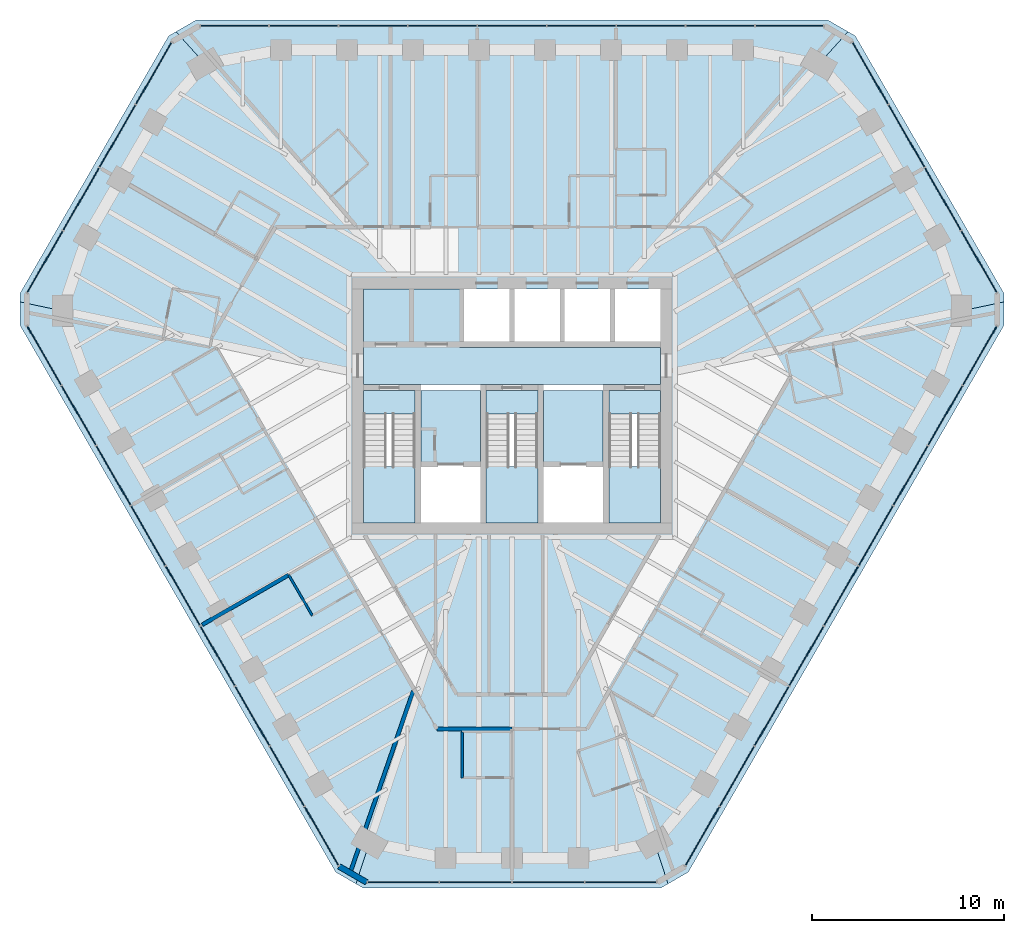
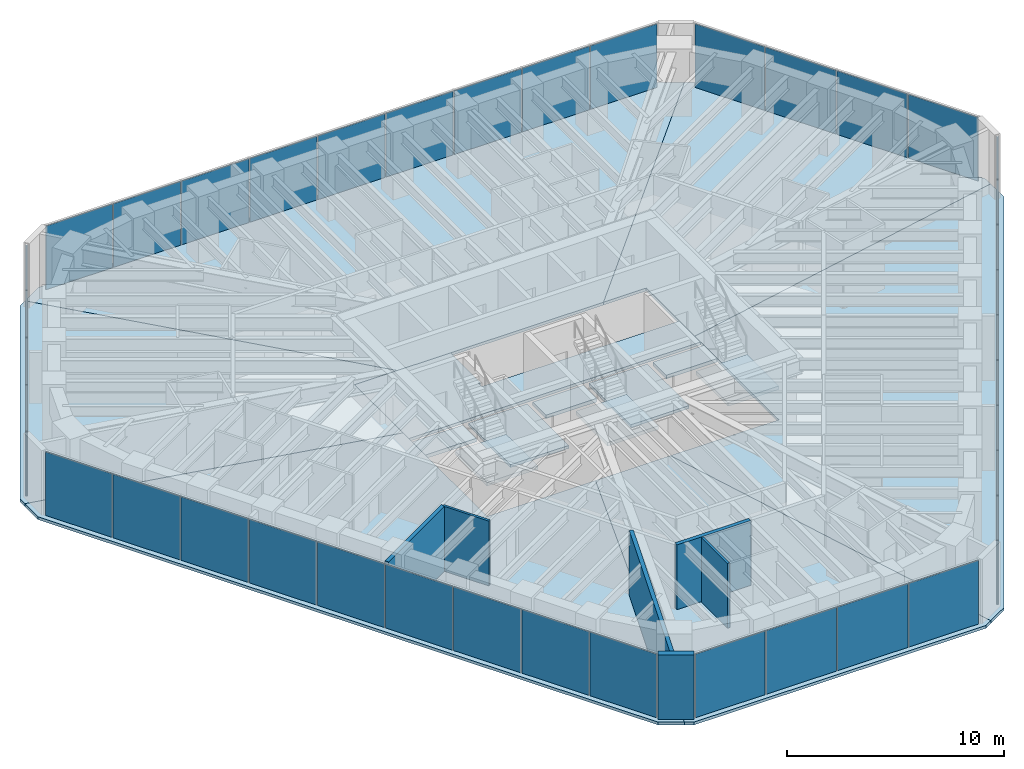
# One storey, part 8 of 14: 39 plates, 15 slabs, 6 walls, 9 elements without a shape of their own.
"""IFC4 building model written with IfcOpenShell, lengths in metres."""

from ifc_helpers import new_model, si_unit, direction, frame, frame_2d, origin, origin_2d, place, context, subcontext, project, spatial, polyline, rectangle, outline, extrude, material, layer, layer_set, type_object, element, aggregate, save


model = new_model("IFC4")

# Units and contexts
model_context = context("Model", 3, precision=1e-05, world=origin(), true_north=direction((0.0, 1.0)))
body_context = subcontext(model_context, "Body", "Model", "MODEL_VIEW")
ifc_project = project(units=[si_unit("LENGTHUNIT", "METRE"), si_unit("AREAUNIT", "SQUARE_METRE"), si_unit("VOLUMEUNIT", "CUBIC_METRE"), si_unit("PLANEANGLEUNIT", "RADIAN"), si_unit("MASSUNIT", "GRAM", prefix="KILO")], contexts=[model_context])

# Site, building, storey
site_placement = place(None, origin())
site = spatial("IfcSite", under=ifc_project, at=site_placement, CompositionType="ELEMENT")
building_placement = place(site_placement, origin())
building = spatial("IfcBuilding", under=site, at=building_placement, Name="Sandreach Pilgrim Tower", CompositionType="ELEMENT")
storey_placement = place(building_placement, frame((0.0, 0.0, 287.39990234375)))
storey = spatial("IfcBuildingStorey", under=building, at=storey_placement, Name="L72", CompositionType="ELEMENT", Elevation=287.39990234375)

# Curtain wall, plates
ifc_material_1 = material(Name="Aluminium framed curtain wall", Category="aluminium")
curtain_wall_type = type_object("IfcCurtainWallType", Name="Suite tower curtain wall", PredefinedType="NOTDEFINED", material=ifc_material_1)
curtain_wall_1_placement = place(storey_placement, origin())
curtain_wall_1 = element("IfcCurtainWall", 1, at=curtain_wall_1_placement, inside=storey, type_object=curtain_wall_type, Name="CW-4 L72 N", PredefinedType="NOTDEFINED")
ifc_material_2 = material(Name="Insulating glass unit 16.76 laminated + 24 argon + 16.76 laminated", Category="glass")
ifc_layer_1 = layer(ifc_material_2, 0.05810546875)
ifc_layer_set_1 = layer_set([ifc_layer_1], Name="CW-4 panel")
plate_type = type_object("IfcPlateType", Name="CW-4 panel", PredefinedType="CURTAIN_PANEL", material=ifc_layer_set_1)
plate_1_placement = place(storey_placement, frame((-14.472412109375, 19.826416015625, 0.0), z_axis=(0.0, 0.0, 1.0), x_axis=(1.0, 0.0, 0.0)))
plate_1 = element("IfcPlate", 2, at=plate_1_placement, type_object=plate_type, Name="CW-4 panel 1", PredefinedType="CURTAIN_PANEL", context=body_context, shape_type="SweptSolid", body=[
    extrude(rectangle(XDim=3.531982421875, YDim=0.05810546875, at=origin_2d()), origin(), (0.0, 0.0, 1.0), 3.570068359375),
])
plate_2_placement = place(storey_placement, frame((-10.865478515625, 19.826416015625, 0.0), z_axis=(0.0, 0.0, 1.0), x_axis=(1.0, 0.0, 0.0)))
plate_2 = element("IfcPlate", 3, at=plate_2_placement, type_object=plate_type, Name="CW-4 panel 2", PredefinedType="CURTAIN_PANEL", context=body_context, shape_type="SweptSolid", body=[
    extrude(rectangle(XDim=3.561767578125, YDim=0.05810546875, at=origin_2d()), origin(), (0.0, 0.0, 1.0), 3.570068359375),
])
plate_3_placement = place(storey_placement, frame((-7.24365234375, 19.826416015625, 0.0), z_axis=(0.0, 0.0, 1.0), x_axis=(1.0, 0.0, 0.0)))
plate_3 = element("IfcPlate", 4, at=plate_3_placement, type_object=plate_type, Name="CW-4 panel 3", PredefinedType="CURTAIN_PANEL", context=body_context, shape_type="SweptSolid", body=[
    extrude(rectangle(XDim=3.561767578125, YDim=0.05810546875, at=origin_2d()), origin(), (0.0, 0.0, 1.0), 3.570068359375),
])
plate_4_placement = place(storey_placement, frame((-3.621826171875, 19.826416015625, 0.0), z_axis=(0.0, 0.0, 1.0), x_axis=(1.0, 0.0, 0.0)))
plate_4 = element("IfcPlate", 5, at=plate_4_placement, type_object=plate_type, Name="CW-4 panel 4", PredefinedType="CURTAIN_PANEL", context=body_context, shape_type="SweptSolid", body=[
    extrude(rectangle(XDim=3.561767578125, YDim=0.05810546875, at=origin_2d()), origin(), (0.0, 0.0, 1.0), 3.570068359375),
])
plate_5_placement = place(storey_placement, frame((0.0, 19.826416015625, 0.0), z_axis=(0.0, 0.0, 1.0), x_axis=(1.0, 0.0, 0.0)))
plate_5 = element("IfcPlate", 6, at=plate_5_placement, type_object=plate_type, Name="CW-4 panel 5", PredefinedType="CURTAIN_PANEL", context=body_context, shape_type="SweptSolid", body=[
    extrude(rectangle(XDim=3.561767578125, YDim=0.05810546875, at=origin_2d()), origin(), (0.0, 0.0, 1.0), 3.570068359375),
])
plate_6_placement = place(storey_placement, frame((3.621826171875, 19.826416015625, 0.0), z_axis=(0.0, 0.0, 1.0), x_axis=(1.0, 0.0, 0.0)))
plate_6 = element("IfcPlate", 7, at=plate_6_placement, type_object=plate_type, Name="CW-4 panel 6", PredefinedType="CURTAIN_PANEL", context=body_context, shape_type="SweptSolid", body=[
    extrude(rectangle(XDim=3.561767578125, YDim=0.05810546875, at=origin_2d()), origin(), (0.0, 0.0, 1.0), 3.570068359375),
])
plate_7_placement = place(storey_placement, frame((7.24365234375, 19.826416015625, 0.0), z_axis=(0.0, 0.0, 1.0), x_axis=(1.0, 0.0, 0.0)))
plate_7 = element("IfcPlate", 8, at=plate_7_placement, type_object=plate_type, Name="CW-4 panel 7", PredefinedType="CURTAIN_PANEL", context=body_context, shape_type="SweptSolid", body=[
    extrude(rectangle(XDim=3.561767578125, YDim=0.05810546875, at=origin_2d()), origin(), (0.0, 0.0, 1.0), 3.570068359375),
])
plate_8_placement = place(storey_placement, frame((10.865478515625, 19.826416015625, 0.0), z_axis=(0.0, 0.0, 1.0), x_axis=(1.0, 0.0, 0.0)))
plate_8 = element("IfcPlate", 9, at=plate_8_placement, type_object=plate_type, Name="CW-4 panel 8", PredefinedType="CURTAIN_PANEL", context=body_context, shape_type="SweptSolid", body=[
    extrude(rectangle(XDim=3.561767578125, YDim=0.05810546875, at=origin_2d()), origin(), (0.0, 0.0, 1.0), 3.570068359375),
])
plate_9_placement = place(storey_placement, frame((14.472412109375, 19.826416015625, 0.0), z_axis=(0.0, 0.0, 1.0), x_axis=(1.0, 0.0, 0.0)))
plate_9 = element("IfcPlate", 10, at=plate_9_placement, type_object=plate_type, Name="CW-4 panel 9", PredefinedType="CURTAIN_PANEL", context=body_context, shape_type="SweptSolid", body=[
    extrude(rectangle(XDim=3.531982421875, YDim=0.05810546875, at=origin_2d()), origin(), (0.0, 0.0, 1.0), 3.570068359375),
])
aggregate(curtain_wall_1, [plate_1, plate_2, plate_3, plate_4, plate_5, plate_6, plate_7, plate_8, plate_9])

curtain_wall_2_placement = place(storey_placement, origin())
curtain_wall_2 = element("IfcCurtainWall", 11, at=curtain_wall_2_placement, inside=storey, type_object=curtain_wall_type, Name="CW-4 L72 NE", PredefinedType="NOTDEFINED")
plate_10_placement = place(storey_placement, frame((18.69140625, 17.341552734375, 0.0), z_axis=(0.0, 0.0, 1.0), x_axis=(0.5, -0.866025403784, 0.0)))
plate_10 = element("IfcPlate", 12, at=plate_10_placement, type_object=plate_type, Name="CW-4 panel 1", PredefinedType="CURTAIN_PANEL", context=body_context, shape_type="SweptSolid", body=[
    extrude(rectangle(XDim=3.70166015625, YDim=0.05810546875, at=origin_2d()), origin(), (0.0, 0.0, 1.0), 3.570068359375),
])
plate_11_placement = place(storey_placement, frame((20.579833984375, 14.07080078125, 0.0), z_axis=(0.0, 0.0, 1.0), x_axis=(0.5, -0.866025403784, 0.0)))
plate_11 = element("IfcPlate", 13, at=plate_11_placement, type_object=plate_type, Name="CW-4 panel 2", PredefinedType="CURTAIN_PANEL", context=body_context, shape_type="SweptSolid", body=[
    extrude(rectangle(XDim=3.731689453125, YDim=0.05810546875, at=origin_2d()), origin(), (0.0, 0.0, 1.0), 3.570068359375),
])
plate_12_placement = place(storey_placement, frame((22.4755859375, 10.787109375, 0.0), z_axis=(0.0, 0.0, 1.0), x_axis=(0.5, -0.866025403784, 0.0)))
plate_12 = element("IfcPlate", 14, at=plate_12_placement, type_object=plate_type, Name="CW-4 panel 3", PredefinedType="CURTAIN_PANEL", context=body_context, shape_type="SweptSolid", body=[
    extrude(rectangle(XDim=3.731689453125, YDim=0.05810546875, at=origin_2d()), origin(), (0.0, 0.0, 1.0), 3.570068359375),
])
plate_13_placement = place(storey_placement, frame((24.364013671875, 7.516357421875, 0.0), z_axis=(0.0, 0.0, 1.0), x_axis=(0.5, -0.866025403784, 0.0)))
plate_13 = element("IfcPlate", 15, at=plate_13_placement, type_object=plate_type, Name="CW-4 panel 4", PredefinedType="CURTAIN_PANEL", context=body_context, shape_type="SweptSolid", body=[
    extrude(rectangle(XDim=3.70166015625, YDim=0.05810546875, at=origin_2d()), origin(), (0.0, 0.0, 1.0), 3.570068359375),
])
aggregate(curtain_wall_2, [plate_10, plate_11, plate_12, plate_13])

curtain_wall_3_placement = place(storey_placement, origin())
curtain_wall_3 = element("IfcCurtainWall", 16, at=curtain_wall_3_placement, inside=storey, type_object=curtain_wall_type, Name="CW-4 L72 SE", PredefinedType="NOTDEFINED")
plate_14_placement = place(storey_placement, frame((24.406494140625, 2.620361328125, 0.0), z_axis=(0.0, 0.0, 1.0), x_axis=(-0.5, -0.866025403784, 0.0)))
plate_14 = element("IfcPlate", 17, at=plate_14_placement, type_object=plate_type, Name="CW-4 panel 1", PredefinedType="CURTAIN_PANEL", context=body_context, shape_type="SweptSolid", body=[
    extrude(rectangle(XDim=3.531982421875, YDim=0.05810546875, at=origin_2d()), origin(), (0.0, 0.0, 1.0), 3.570068359375),
])
plate_15_placement = place(storey_placement, frame((22.60302734375, -0.50341796875, 0.0), z_axis=(0.0, 0.0, 1.0), x_axis=(-0.5, -0.866025403784, 0.0)))
plate_15 = element("IfcPlate", 18, at=plate_15_placement, type_object=plate_type, Name="CW-4 panel 2", PredefinedType="CURTAIN_PANEL", context=body_context, shape_type="SweptSolid", body=[
    extrude(rectangle(XDim=3.561767578125, YDim=0.05810546875, at=origin_2d()), origin(), (0.0, 0.0, 1.0), 3.570068359375),
])
plate_16_placement = place(storey_placement, frame((20.7919921875, -3.639892578125, 0.0), z_axis=(0.0, 0.0, 1.0), x_axis=(-0.5, -0.866025403784, 0.0)))
plate_16 = element("IfcPlate", 19, at=plate_16_placement, type_object=plate_type, Name="CW-4 panel 3", PredefinedType="CURTAIN_PANEL", context=body_context, shape_type="SweptSolid", body=[
    extrude(rectangle(XDim=3.561767578125, YDim=0.05810546875, at=origin_2d()), origin(), (0.0, 0.0, 1.0), 3.570068359375),
])
plate_17_placement = place(storey_placement, frame((18.981201171875, -6.776611328125, 0.0), z_axis=(0.0, 0.0, 1.0), x_axis=(-0.5, -0.866025403784, 0.0)))
plate_17 = element("IfcPlate", 20, at=plate_17_placement, type_object=plate_type, Name="CW-4 panel 4", PredefinedType="CURTAIN_PANEL", context=body_context, shape_type="SweptSolid", body=[
    extrude(rectangle(XDim=3.561767578125, YDim=0.05810546875, at=origin_2d()), origin(), (0.0, 0.0, 1.0), 3.570068359375),
])
plate_18_placement = place(storey_placement, frame((17.170166015625, -9.913330078125, 0.0), z_axis=(0.0, 0.0, 1.0), x_axis=(-0.5, -0.866025403784, 0.0)))
plate_18 = element("IfcPlate", 21, at=plate_18_placement, type_object=plate_type, Name="CW-4 panel 5", PredefinedType="CURTAIN_PANEL", context=body_context, shape_type="SweptSolid", body=[
    extrude(rectangle(XDim=3.561767578125, YDim=0.05810546875, at=origin_2d()), origin(), (0.0, 0.0, 1.0), 3.570068359375),
])
plate_19_placement = place(storey_placement, frame((15.359375, -13.0498046875, 0.0), z_axis=(0.0, 0.0, 1.0), x_axis=(-0.5, -0.866025403784, 0.0)))
plate_19 = element("IfcPlate", 22, at=plate_19_placement, type_object=plate_type, Name="CW-4 panel 6", PredefinedType="CURTAIN_PANEL", context=body_context, shape_type="SweptSolid", body=[
    extrude(rectangle(XDim=3.561767578125, YDim=0.05810546875, at=origin_2d()), origin(), (0.0, 0.0, 1.0), 3.570068359375),
])
plate_20_placement = place(storey_placement, frame((13.54833984375, -16.1865234375, 0.0), z_axis=(0.0, 0.0, 1.0), x_axis=(-0.5, -0.866025403784, 0.0)))
plate_20 = element("IfcPlate", 23, at=plate_20_placement, type_object=plate_type, Name="CW-4 panel 7", PredefinedType="CURTAIN_PANEL", context=body_context, shape_type="SweptSolid", body=[
    extrude(rectangle(XDim=3.561767578125, YDim=0.05810546875, at=origin_2d()), origin(), (0.0, 0.0, 1.0), 3.570068359375),
])
plate_21_placement = place(storey_placement, frame((11.7373046875, -19.322998046875, 0.0), z_axis=(0.0, 0.0, 1.0), x_axis=(-0.5, -0.866025403784, 0.0)))
plate_21 = element("IfcPlate", 24, at=plate_21_placement, type_object=plate_type, Name="CW-4 panel 8", PredefinedType="CURTAIN_PANEL", context=body_context, shape_type="SweptSolid", body=[
    extrude(rectangle(XDim=3.561767578125, YDim=0.05810546875, at=origin_2d()), origin(), (0.0, 0.0, 1.0), 3.570068359375),
])
plate_22_placement = place(storey_placement, frame((9.93408203125, -22.44677734375, 0.0), z_axis=(0.0, 0.0, 1.0), x_axis=(-0.5, -0.866025403784, 0.0)))
plate_22 = element("IfcPlate", 25, at=plate_22_placement, type_object=plate_type, Name="CW-4 panel 9", PredefinedType="CURTAIN_PANEL", context=body_context, shape_type="SweptSolid", body=[
    extrude(rectangle(XDim=3.531982421875, YDim=0.05810546875, at=origin_2d()), origin(), (0.0, 0.0, 1.0), 3.570068359375),
])
aggregate(curtain_wall_3, [plate_14, plate_15, plate_16, plate_17, plate_18, plate_19, plate_20, plate_21, plate_22])

curtain_wall_4_placement = place(storey_placement, origin())
curtain_wall_4 = element("IfcCurtainWall", 26, at=curtain_wall_4_placement, inside=storey, type_object=curtain_wall_type, Name="CW-4 L72 S", PredefinedType="NOTDEFINED")
plate_23_placement = place(storey_placement, frame((5.672607421875, -24.858154296875, 0.0), z_axis=(0.0, 0.0, 1.0), x_axis=(-1.0, 0.0, 0.0)))
plate_23 = element("IfcPlate", 27, at=plate_23_placement, type_object=plate_type, Name="CW-4 panel 1", PredefinedType="CURTAIN_PANEL", context=body_context, shape_type="SweptSolid", body=[
    extrude(rectangle(XDim=3.70166015625, YDim=0.05810546875, at=origin_2d()), origin(), (0.0, 0.0, 1.0), 3.570068359375),
])
plate_24_placement = place(storey_placement, frame((1.895751953125, -24.858154296875, 0.0), z_axis=(0.0, 0.0, 1.0), x_axis=(-1.0, 0.0, 0.0)))
plate_24 = element("IfcPlate", 28, at=plate_24_placement, type_object=plate_type, Name="CW-4 panel 2", PredefinedType="CURTAIN_PANEL", context=body_context, shape_type="SweptSolid", body=[
    extrude(rectangle(XDim=3.731689453125, YDim=0.05810546875, at=origin_2d()), origin(), (0.0, 0.0, 1.0), 3.570068359375),
])
plate_25_placement = place(storey_placement, frame((-1.895751953125, -24.858154296875, 0.0), z_axis=(0.0, 0.0, 1.0), x_axis=(-1.0, 0.0, 0.0)))
plate_25 = element("IfcPlate", 29, at=plate_25_placement, type_object=plate_type, Name="CW-4 panel 3", PredefinedType="CURTAIN_PANEL", context=body_context, shape_type="SweptSolid", body=[
    extrude(rectangle(XDim=3.731689453125, YDim=0.05810546875, at=origin_2d()), origin(), (0.0, 0.0, 1.0), 3.570068359375),
])
plate_26_placement = place(storey_placement, frame((-5.672607421875, -24.858154296875, 0.0), z_axis=(0.0, 0.0, 1.0), x_axis=(-1.0, 0.0, 0.0)))
plate_26 = element("IfcPlate", 30, at=plate_26_placement, type_object=plate_type, Name="CW-4 panel 4", PredefinedType="CURTAIN_PANEL", context=body_context, shape_type="SweptSolid", body=[
    extrude(rectangle(XDim=3.70166015625, YDim=0.05810546875, at=origin_2d()), origin(), (0.0, 0.0, 1.0), 3.570068359375),
])
aggregate(curtain_wall_4, [plate_23, plate_24, plate_25, plate_26])

curtain_wall_5_placement = place(storey_placement, origin())
curtain_wall_5 = element("IfcCurtainWall", 31, at=curtain_wall_5_placement, inside=storey, type_object=curtain_wall_type, Name="CW-4 L72 SW", PredefinedType="NOTDEFINED")
plate_27_placement = place(storey_placement, frame((-9.93408203125, -22.44677734375, 0.0), z_axis=(0.0, 0.0, 1.0), x_axis=(-0.5, 0.866025403784, 0.0)))
plate_27 = element("IfcPlate", 32, at=plate_27_placement, type_object=plate_type, Name="CW-4 panel 1", PredefinedType="CURTAIN_PANEL", context=body_context, shape_type="SweptSolid", body=[
    extrude(rectangle(XDim=3.531982421875, YDim=0.05810546875, at=origin_2d()), origin(), (0.0, 0.0, 1.0), 3.570068359375),
])
plate_28_placement = place(storey_placement, frame((-11.7373046875, -19.322998046875, 0.0), z_axis=(0.0, 0.0, 1.0), x_axis=(-0.5, 0.866025403784, 0.0)))
plate_28 = element("IfcPlate", 33, at=plate_28_placement, type_object=plate_type, Name="CW-4 panel 2", PredefinedType="CURTAIN_PANEL", context=body_context, shape_type="SweptSolid", body=[
    extrude(rectangle(XDim=3.561767578125, YDim=0.05810546875, at=origin_2d()), origin(), (0.0, 0.0, 1.0), 3.570068359375),
])
plate_29_placement = place(storey_placement, frame((-13.54833984375, -16.1865234375, 0.0), z_axis=(0.0, 0.0, 1.0), x_axis=(-0.5, 0.866025403784, 0.0)))
plate_29 = element("IfcPlate", 34, at=plate_29_placement, type_object=plate_type, Name="CW-4 panel 3", PredefinedType="CURTAIN_PANEL", context=body_context, shape_type="SweptSolid", body=[
    extrude(rectangle(XDim=3.561767578125, YDim=0.05810546875, at=origin_2d()), origin(), (0.0, 0.0, 1.0), 3.570068359375),
])
plate_30_placement = place(storey_placement, frame((-15.359375, -13.0498046875, 0.0), z_axis=(0.0, 0.0, 1.0), x_axis=(-0.5, 0.866025403784, 0.0)))
plate_30 = element("IfcPlate", 35, at=plate_30_placement, type_object=plate_type, Name="CW-4 panel 4", PredefinedType="CURTAIN_PANEL", context=body_context, shape_type="SweptSolid", body=[
    extrude(rectangle(XDim=3.561767578125, YDim=0.05810546875, at=origin_2d()), origin(), (0.0, 0.0, 1.0), 3.570068359375),
])
plate_31_placement = place(storey_placement, frame((-17.170166015625, -9.913330078125, 0.0), z_axis=(0.0, 0.0, 1.0), x_axis=(-0.5, 0.866025403784, 0.0)))
plate_31 = element("IfcPlate", 36, at=plate_31_placement, type_object=plate_type, Name="CW-4 panel 5", PredefinedType="CURTAIN_PANEL", context=body_context, shape_type="SweptSolid", body=[
    extrude(rectangle(XDim=3.561767578125, YDim=0.05810546875, at=origin_2d()), origin(), (0.0, 0.0, 1.0), 3.570068359375),
])
plate_32_placement = place(storey_placement, frame((-18.981201171875, -6.776611328125, 0.0), z_axis=(0.0, 0.0, 1.0), x_axis=(-0.5, 0.866025403784, 0.0)))
plate_32 = element("IfcPlate", 37, at=plate_32_placement, type_object=plate_type, Name="CW-4 panel 6", PredefinedType="CURTAIN_PANEL", context=body_context, shape_type="SweptSolid", body=[
    extrude(rectangle(XDim=3.561767578125, YDim=0.05810546875, at=origin_2d()), origin(), (0.0, 0.0, 1.0), 3.570068359375),
])
plate_33_placement = place(storey_placement, frame((-20.7919921875, -3.639892578125, 0.0), z_axis=(0.0, 0.0, 1.0), x_axis=(-0.5, 0.866025403784, 0.0)))
plate_33 = element("IfcPlate", 38, at=plate_33_placement, type_object=plate_type, Name="CW-4 panel 7", PredefinedType="CURTAIN_PANEL", context=body_context, shape_type="SweptSolid", body=[
    extrude(rectangle(XDim=3.561767578125, YDim=0.05810546875, at=origin_2d()), origin(), (0.0, 0.0, 1.0), 3.570068359375),
])
plate_34_placement = place(storey_placement, frame((-22.60302734375, -0.50341796875, 0.0), z_axis=(0.0, 0.0, 1.0), x_axis=(-0.5, 0.866025403784, 0.0)))
plate_34 = element("IfcPlate", 39, at=plate_34_placement, type_object=plate_type, Name="CW-4 panel 8", PredefinedType="CURTAIN_PANEL", context=body_context, shape_type="SweptSolid", body=[
    extrude(rectangle(XDim=3.561767578125, YDim=0.05810546875, at=origin_2d()), origin(), (0.0, 0.0, 1.0), 3.570068359375),
])
plate_35_placement = place(storey_placement, frame((-24.406494140625, 2.620361328125, 0.0), z_axis=(0.0, 0.0, 1.0), x_axis=(-0.5, 0.866025403784, 0.0)))
plate_35 = element("IfcPlate", 40, at=plate_35_placement, type_object=plate_type, Name="CW-4 panel 9", PredefinedType="CURTAIN_PANEL", context=body_context, shape_type="SweptSolid", body=[
    extrude(rectangle(XDim=3.531982421875, YDim=0.05810546875, at=origin_2d()), origin(), (0.0, 0.0, 1.0), 3.570068359375),
])
aggregate(curtain_wall_5, [plate_27, plate_28, plate_29, plate_30, plate_31, plate_32, plate_33, plate_34, plate_35])

curtain_wall_6_placement = place(storey_placement, origin())
curtain_wall_6 = element("IfcCurtainWall", 41, at=curtain_wall_6_placement, inside=storey, type_object=curtain_wall_type, Name="CW-4 L72 NW", PredefinedType="NOTDEFINED")
plate_36_placement = place(storey_placement, frame((-24.364013671875, 7.516357421875, 0.0), z_axis=(0.0, 0.0, 1.0), x_axis=(0.5, 0.866025403784, 0.0)))
plate_36 = element("IfcPlate", 42, at=plate_36_placement, type_object=plate_type, Name="CW-4 panel 1", PredefinedType="CURTAIN_PANEL", context=body_context, shape_type="SweptSolid", body=[
    extrude(rectangle(XDim=3.70166015625, YDim=0.05810546875, at=origin_2d()), origin(), (0.0, 0.0, 1.0), 3.570068359375),
])
plate_37_placement = place(storey_placement, frame((-22.4755859375, 10.787109375, 0.0), z_axis=(0.0, 0.0, 1.0), x_axis=(0.5, 0.866025403784, 0.0)))
plate_37 = element("IfcPlate", 43, at=plate_37_placement, type_object=plate_type, Name="CW-4 panel 2", PredefinedType="CURTAIN_PANEL", context=body_context, shape_type="SweptSolid", body=[
    extrude(rectangle(XDim=3.731689453125, YDim=0.05810546875, at=origin_2d()), origin(), (0.0, 0.0, 1.0), 3.570068359375),
])
plate_38_placement = place(storey_placement, frame((-20.579833984375, 14.07080078125, 0.0), z_axis=(0.0, 0.0, 1.0), x_axis=(0.5, 0.866025403784, 0.0)))
plate_38 = element("IfcPlate", 44, at=plate_38_placement, type_object=plate_type, Name="CW-4 panel 3", PredefinedType="CURTAIN_PANEL", context=body_context, shape_type="SweptSolid", body=[
    extrude(rectangle(XDim=3.731689453125, YDim=0.05810546875, at=origin_2d()), origin(), (0.0, 0.0, 1.0), 3.570068359375),
])
plate_39_placement = place(storey_placement, frame((-18.69140625, 17.341552734375, 0.0), z_axis=(0.0, 0.0, 1.0), x_axis=(0.5, 0.866025403784, 0.0)))
plate_39 = element("IfcPlate", 45, at=plate_39_placement, type_object=plate_type, Name="CW-4 panel 4", PredefinedType="CURTAIN_PANEL", context=body_context, shape_type="SweptSolid", body=[
    extrude(rectangle(XDim=3.70166015625, YDim=0.05810546875, at=origin_2d()), origin(), (0.0, 0.0, 1.0), 3.570068359375),
])
aggregate(curtain_wall_6, [plate_36, plate_37, plate_38, plate_39])

# Slabs
ifc_material_3 = material(Name="Concrete 8000 psi", Category="concrete")
ifc_layer_2 = layer(ifc_material_3, 0.159912109375)
ifc_layer_set_2 = layer_set([ifc_layer_2], Name="Composite floor slab 160")
slab_type_1 = type_object("IfcSlabType", Name="Composite floor slab 160", PredefinedType="FLOOR", material=ifc_layer_set_2)
slab_1_placement = place(storey_placement, frame((0.0, 0.0, -0.159912109375)))
element("IfcSlab", 46, at=slab_1_placement, inside=storey, type_object=slab_type_1, Name="Floor slab L72 N sector", PredefinedType="FLOOR", context=body_context, shape_type="SweptSolid", body=[
    extrude(outline(polyline([(-16.4716796875, 20.12646484375), (16.4716796875, 20.12646484375), (17.52587890625, 19.517822265625), (5.477294921875, 6.10009765625), (-5.477294921875, 6.10009765625), (-17.52587890625, 19.517822265625), (-16.4716796875, 20.12646484375)])), origin(), (0.0, 0.0, 1.0), 0.159912109375),
])
slab_2_placement = place(storey_placement, frame((0.0, 0.0, -0.159912109375)))
element("IfcSlab", 47, at=slab_2_placement, inside=storey, type_object=slab_type_1, Name="Floor slab L72 NE sector", PredefinedType="FLOOR", context=body_context, shape_type="SweptSolid", body=[
    extrude(outline(polyline([(17.9091796875, 19.29638671875), (25.665771484375, 5.861572265625), (25.665771484375, 5.4189453125), (7.75, 1.63623046875), (7.75, 6.10009765625), (5.477294921875, 6.10009765625), (17.52587890625, 19.517822265625), (17.9091796875, 19.29638671875)])), origin(), (0.0, 0.0, 1.0), 0.159912109375),
])
slab_3_placement = place(storey_placement, frame((0.0, 0.0, -0.159912109375)))
element("IfcSlab", 48, at=slab_3_placement, inside=storey, type_object=slab_type_1, Name="Floor slab L72 SE sector", PredefinedType="FLOOR", context=body_context, shape_type="SweptSolid", body=[
    extrude(outline(polyline([(25.665771484375, 4.20166015625), (9.194091796875, -24.327880859375), (8.139892578125, -24.936767578125), (1.9912109375, -6.10009765625), (7.75, -6.10009765625), (7.75, 1.63623046875), (25.665771484375, 5.4189453125), (25.665771484375, 4.20166015625)])), origin(), (0.0, 0.0, 1.0), 0.159912109375),
])
slab_4_placement = place(storey_placement, frame((0.0, 0.0, -0.159912109375)))
element("IfcSlab", 49, at=slab_4_placement, inside=storey, type_object=slab_type_1, Name="Floor slab L72 S sector", PredefinedType="FLOOR", context=body_context, shape_type="SweptSolid", body=[
    extrude(outline(polyline([(7.756591796875, -25.157958984375), (-7.756591796875, -25.157958984375), (-8.139892578125, -24.936767578125), (-1.9912109375, -6.10009765625), (1.9912109375, -6.10009765625), (8.139892578125, -24.936767578125), (7.756591796875, -25.157958984375)])), origin(), (0.0, 0.0, 1.0), 0.159912109375),
])
slab_5_placement = place(storey_placement, frame((0.0, 0.0, -0.159912109375)))
element("IfcSlab", 50, at=slab_5_placement, inside=storey, type_object=slab_type_1, Name="Floor slab L72 SW sector", PredefinedType="FLOOR", context=body_context, shape_type="SweptSolid", body=[
    extrude(outline(polyline([(-9.194091796875, -24.327880859375), (-25.665771484375, 4.20166015625), (-25.665771484375, 5.4189453125), (-7.75, 1.63623046875), (-7.75, -6.10009765625), (-1.9912109375, -6.10009765625), (-8.139892578125, -24.936767578125), (-9.194091796875, -24.327880859375)])), origin(), (0.0, 0.0, 1.0), 0.159912109375),
])
slab_6_placement = place(storey_placement, frame((0.0, 0.0, -0.159912109375)))
element("IfcSlab", 51, at=slab_6_placement, inside=storey, type_object=slab_type_1, Name="Floor slab L72 NW sector", PredefinedType="FLOOR", context=body_context, shape_type="SweptSolid", body=[
    extrude(outline(polyline([(-25.665771484375, 5.861572265625), (-17.9091796875, 19.29638671875), (-17.52587890625, 19.517822265625), (-5.477294921875, 6.10009765625), (-7.75, 6.10009765625), (-7.75, 1.63623046875), (-25.665771484375, 5.4189453125), (-25.665771484375, 5.861572265625)])), origin(), (0.0, 0.0, 1.0), 0.159912109375),
])
slab_7_placement = place(storey_placement, frame((0.0, 0.0, -0.159912109375)))
element("IfcSlab", 52, at=slab_7_placement, inside=storey, type_object=slab_type_1, Name="Core floor slab and stores L72", PredefinedType="FLOOR", context=body_context, shape_type="SweptSolid", body=[
    extrude(outline(polyline([(-2.75, 3.35009765625), (-2.75, 3.050048828125), (-0.125, 3.050048828125), (0.125, 3.050048828125), (2.5, 3.050048828125), (2.75, 3.050048828125), (5.125, 3.050048828125), (5.375, 3.050048828125), (7.75, 3.050048828125), (7.75, 1.10009765625), (5.050048828125, 1.10009765625), (4.75, 1.10009765625), (1.64990234375, 1.10009765625), (1.35009765625, 1.10009765625), (-1.35009765625, 1.10009765625), (-1.64990234375, 1.10009765625), (-4.75, 1.10009765625), (-5.050048828125, 1.10009765625), (-7.75, 1.10009765625), (-7.75, 6.10009765625), (-2.64990234375, 6.10009765625), (-2.64990234375, 3.35009765625), (-2.75, 3.35009765625)])), origin(), (0.0, 0.0, 1.0), 0.159912109375),
])
slab_8_placement = place(storey_placement, frame((0.0, 0.0, -0.159912109375)))
element("IfcSlab", 53, at=slab_8_placement, inside=storey, type_object=slab_type_1, Name="Core floor slab and stores L72 2", PredefinedType="FLOOR", context=body_context, shape_type="SweptSolid", body=[
    extrude(outline(polyline([(-1.64990234375, -3.050048828125), (-4.75, -3.050048828125), (-4.75, 0.800048828125), (-1.64990234375, 0.800048828125), (-1.64990234375, -3.050048828125)])), origin(), (0.0, 0.0, 1.0), 0.159912109375),
])
slab_9_placement = place(storey_placement, frame((0.0, 0.0, -0.159912109375)))
element("IfcSlab", 54, at=slab_9_placement, inside=storey, type_object=slab_type_1, Name="Core floor slab and stores L72 3", PredefinedType="FLOOR", context=body_context, shape_type="SweptSolid", body=[
    extrude(outline(polyline([(4.75, -3.050048828125), (1.64990234375, -3.050048828125), (1.64990234375, 0.800048828125), (4.75, 0.800048828125), (4.75, -3.050048828125)])), origin(), (0.0, 0.0, 1.0), 0.159912109375),
])

# Stair, slabs
ifc_material_4 = material(Name="Concrete 8000 psi", Category="concrete")
stair_type = type_object("IfcStairType", Name="Core exit stair", PredefinedType="HALF_TURN_STAIR", material=ifc_material_4)
stair_1_placement = place(storey_placement, origin())
stair_1 = element("IfcStair", 55, at=stair_1_placement, inside=storey, type_object=stair_type, Name="Exit stair ST1 L72", PredefinedType="HALF_TURN_STAIR")
ifc_material_5 = material(Name="Concrete 8000 psi", Category="concrete")
ifc_layer_3 = layer(ifc_material_5, 0.199951171875)
ifc_layer_set_3 = layer_set([ifc_layer_3], Name="Core stair landing 200")
slab_type_2 = type_object("IfcSlabType", Name="Core stair landing 200", PredefinedType="LANDING", material=ifc_layer_set_3)
slab_10_placement = place(storey_placement, frame((0.0, 0.0, -0.199951171875)))
slab_10 = element("IfcSlab", 56, at=slab_10_placement, type_object=slab_type_2, Name="ST1 landing 1", PredefinedType="LANDING", context=body_context, shape_type="SweptSolid", body=[
    extrude(outline(polyline([(-7.75, -0.425048828125), (-5.050048828125, -0.425048828125), (-5.050048828125, 0.800048828125), (-7.75, 0.800048828125), (-7.75, -0.425048828125)])), origin(), (0.0, 0.0, 1.0), 0.199951171875),
])
slab_11_placement = place(storey_placement, frame((0.0, 0.0, 1.7001953125)))
slab_11 = element("IfcSlab", 57, at=slab_11_placement, type_object=slab_type_2, Name="ST1 landing 2", PredefinedType="LANDING", context=body_context, shape_type="SweptSolid", body=[
    extrude(outline(polyline([(-7.75, -6.10009765625), (-5.050048828125, -6.10009765625), (-5.050048828125, -3.175048828125), (-7.75, -3.175048828125), (-7.75, -6.10009765625)])), origin(), (0.0, 0.0, 1.0), 0.199951171875),
])
aggregate(stair_1, [slab_10, slab_11])

stair_2_placement = place(storey_placement, origin())
stair_2 = element("IfcStair", 58, at=stair_2_placement, inside=storey, type_object=stair_type, Name="Exit stair ST3 L72", PredefinedType="HALF_TURN_STAIR")
slab_12_placement = place(storey_placement, frame((0.0, 0.0, -0.199951171875)))
slab_12 = element("IfcSlab", 59, at=slab_12_placement, type_object=slab_type_2, Name="ST3 landing 1", PredefinedType="LANDING", context=body_context, shape_type="SweptSolid", body=[
    extrude(outline(polyline([(-1.35009765625, -0.425048828125), (1.35009765625, -0.425048828125), (1.35009765625, 0.800048828125), (-1.35009765625, 0.800048828125), (-1.35009765625, -0.425048828125)])), origin(), (0.0, 0.0, 1.0), 0.199951171875),
])
slab_13_placement = place(storey_placement, frame((0.0, 0.0, 1.7001953125)))
slab_13 = element("IfcSlab", 60, at=slab_13_placement, type_object=slab_type_2, Name="ST3 landing 2", PredefinedType="LANDING", context=body_context, shape_type="SweptSolid", body=[
    extrude(outline(polyline([(-1.35009765625, -6.10009765625), (1.35009765625, -6.10009765625), (1.35009765625, -3.175048828125), (-1.35009765625, -3.175048828125), (-1.35009765625, -6.10009765625)])), origin(), (0.0, 0.0, 1.0), 0.199951171875),
])
aggregate(stair_2, [slab_12, slab_13])

stair_3_placement = place(storey_placement, origin())
stair_3 = element("IfcStair", 61, at=stair_3_placement, inside=storey, type_object=stair_type, Name="Exit stair ST2 L72", PredefinedType="HALF_TURN_STAIR")
slab_14_placement = place(storey_placement, frame((0.0, 0.0, -0.199951171875)))
slab_14 = element("IfcSlab", 62, at=slab_14_placement, type_object=slab_type_2, Name="ST2 landing 1", PredefinedType="LANDING", context=body_context, shape_type="SweptSolid", body=[
    extrude(outline(polyline([(5.050048828125, -0.425048828125), (7.75, -0.425048828125), (7.75, 0.800048828125), (5.050048828125, 0.800048828125), (5.050048828125, -0.425048828125)])), origin(), (0.0, 0.0, 1.0), 0.199951171875),
])
slab_15_placement = place(storey_placement, frame((0.0, 0.0, 1.7001953125)))
slab_15 = element("IfcSlab", 63, at=slab_15_placement, type_object=slab_type_2, Name="ST2 landing 2", PredefinedType="LANDING", context=body_context, shape_type="SweptSolid", body=[
    extrude(outline(polyline([(5.050048828125, -6.10009765625), (7.75, -6.10009765625), (7.75, -3.175048828125), (5.050048828125, -3.175048828125), (5.050048828125, -6.10009765625)])), origin(), (0.0, 0.0, 1.0), 0.199951171875),
])
aggregate(stair_3, [slab_14, slab_15])

# Walls
ifc_material_6 = material(Name="Moisture-resistant gypsum board on steel studs", Category="steel")
ifc_layer_4 = layer(ifc_material_6, 0.1201171875)
ifc_layer_set_4 = layer_set([ifc_layer_4], Name="Bathroom partition 120")
wall_type_1 = type_object("IfcWallType", Name="Bathroom partition 120", PredefinedType="PARTITIONING", material=ifc_layer_set_4)
wall_1_placement = place(storey_placement, frame((-11.64990234375, -8.820068359375, 0.0), z_axis=(0.0, 0.0, 1.0), x_axis=(0.501856726365, -0.86495076519, 0.0)))
element("IfcWall", 64, at=wall_1_placement, inside=storey, type_object=wall_type_1, Name="Bathroom partition L72-030", PredefinedType="PARTITIONING", context=body_context, shape_type="SweptSolid", body=[
    extrude(rectangle(XDim=2.450927734375, YDim=0.1201171875, at=frame_2d((1.2255859375, 0.0))), origin(), (0.0, 0.0, 1.0), 3.64013671875),
])
wall_2_placement = place(storey_placement, frame((-2.60009765625, -17.010009765625, 0.0), z_axis=(0.0, 0.0, 1.0), x_axis=(0.0, -1.0, 0.0)))
element("IfcWall", 65, at=wall_2_placement, inside=storey, type_object=wall_type_1, Name="Bathroom partition L72-053", PredefinedType="PARTITIONING", context=body_context, shape_type="SweptSolid", body=[
    extrude(rectangle(XDim=2.39990234375, YDim=0.1201171875, at=frame_2d((1.199951171875, 0.0))), origin(), (0.0, 0.0, 1.0), 3.64013671875),
])
ifc_material_7 = material(Name="Gypsum board on steel studs, two layers each side", Category="steel")
ifc_layer_5 = layer(ifc_material_7, 0.199951171875)
ifc_layer_set_5 = layer_set([ifc_layer_5], Name="Corridor wall 200")
wall_type_2 = type_object("IfcWallType", Name="Corridor wall 200", PredefinedType="PARTITIONING", material=ifc_layer_set_5)
wall_3_placement = place(storey_placement, frame((-3.919921875, -16.860107421875, 0.0), z_axis=(0.0, 0.0, 1.0), x_axis=(1.0, 0.0, 0.0)))
element("IfcWall", 66, at=wall_3_placement, inside=storey, type_object=wall_type_2, Name="Corridor wall L72-050", PredefinedType="PARTITIONING", context=body_context, shape_type="SweptSolid", body=[
    extrude(rectangle(XDim=3.919921875, YDim=0.199951171875, at=frame_2d((1.9599609375, 0.0))), origin(), (0.0, 0.0, 1.0), 3.64013671875),
])
ifc_material_8 = material(Name="Double steel stud acoustic wall, gypsum board", Category="steel")
ifc_layer_6 = layer(ifc_material_8, 0.199951171875)
ifc_layer_set_6 = layer_set([ifc_layer_6], Name="Party wall 200")
wall_type_3 = type_object("IfcWallType", Name="Party wall 200", PredefinedType="PARTITIONING", material=ifc_layer_set_6)
wall_4_placement = place(storey_placement, frame((-16.156005859375, -11.419921875, 0.0), z_axis=(0.0, 0.0, 1.0), x_axis=(0.866170741273, 0.499748183552, 0.0)))
element("IfcWall", 67, at=wall_4_placement, inside=storey, type_object=wall_type_3, Name="Party wall L72-009", PredefinedType="PARTITIONING", context=body_context, shape_type="SweptSolid", body=[
    extrude(rectangle(XDim=5.202392578125, YDim=0.199951171875, at=frame_2d((2.60107421875, 0.0))), origin(), (0.0, 0.0, 1.0), 3.64013671875),
])
wall_5_placement = place(storey_placement, frame((-8.4501953125, -24.381591796875, 0.0), z_axis=(0.0, 0.0, 1.0), x_axis=(0.327695764917, 0.944783300898, 0.0)))
element("IfcWall", 68, at=wall_5_placement, inside=storey, type_object=wall_type_3, Name="Party wall L72-038", PredefinedType="PARTITIONING", context=body_context, shape_type="SweptSolid", body=[
    extrude(rectangle(XDim=10.057861328125, YDim=0.199951171875, at=frame_2d((5.02880859375, 0.0))), origin(), (0.0, 0.0, 1.0), 3.64013671875),
])
ifc_material_9 = material(Name="Terracotta rainscreen on concrete", Category="masonry")
ifc_layer_7 = layer(ifc_material_9, 0.300048828125)
ifc_layer_set_7 = layer_set([ifc_layer_7], Name="Terracotta chamfer pier")
wall_type_4 = type_object("IfcWallType", Name="Terracotta chamfer pier", PredefinedType="SOLIDWALL", material=ifc_layer_set_7)
wall_6_placement = place(storey_placement, frame((-7.58349609375, -24.858154296875, 0.0), z_axis=(0.0, 0.0, 1.0), x_axis=(-0.865989634427, 0.500061949227, 0.0)))
element("IfcWall", 69, at=wall_6_placement, inside=storey, type_object=wall_type_4, Name="Chamfer pier L72 S", PredefinedType="SOLIDWALL", context=body_context, shape_type="SweptSolid", body=[
    extrude(rectangle(XDim=1.659912109375, YDim=0.300048828125, at=frame_2d((0.830078125, 0.0))), origin(), (0.0, 0.0, 1.0), 3.64013671875),
])

save(model, "model.ifc")
